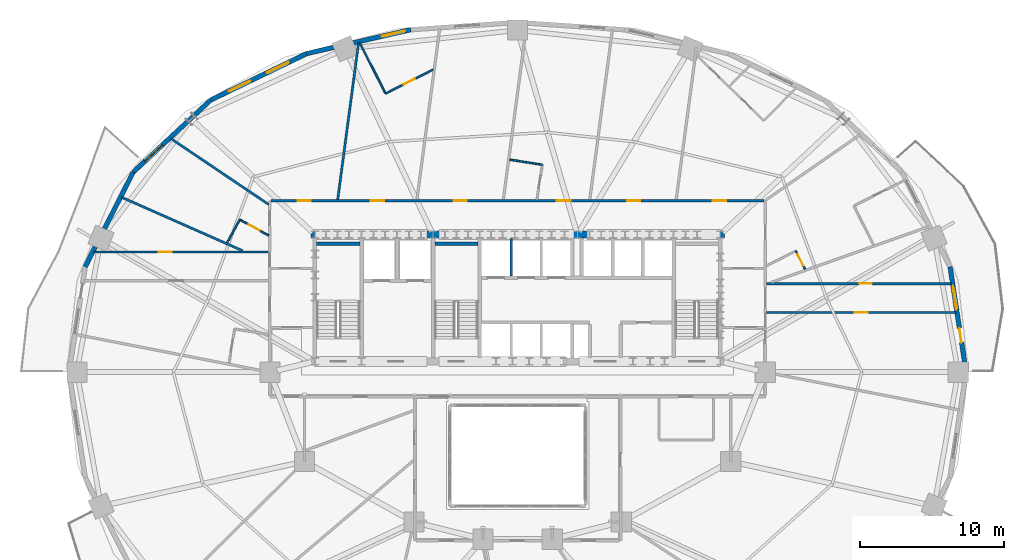
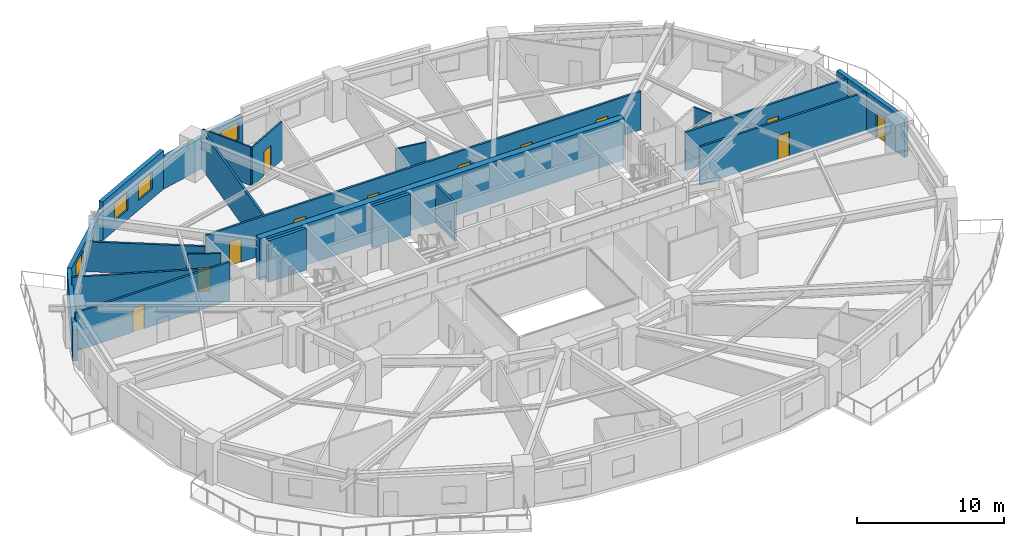
# One storey, part 12 of 17: 22 walls, 13 doors, 5 windows, 18 openings.
"""IFC4 building model written with IfcOpenShell, lengths in metres."""

from ifc_helpers import new_model, si_unit, direction, frame, frame_2d, origin, place, context, subcontext, project, spatial, rectangle, extrude, material, layer, layer_set, type_object, element, fill, save


model = new_model("IFC4")

# Units and contexts
model_context = context("Model", 3, precision=1e-05, world=origin(), true_north=direction((0.0, 1.0)))
body_context = subcontext(model_context, "Body", "Model", "MODEL_VIEW")
ifc_project = project(units=[si_unit("LENGTHUNIT", "METRE"), si_unit("AREAUNIT", "SQUARE_METRE"), si_unit("VOLUMEUNIT", "CUBIC_METRE"), si_unit("PLANEANGLEUNIT", "RADIAN"), si_unit("MASSUNIT", "GRAM", prefix="KILO")], contexts=[model_context])

# Site, building, storey
site_placement = place(None, origin())
site = spatial("IfcSite", under=ifc_project, at=site_placement, CompositionType="ELEMENT")
building_placement = place(site_placement, origin())
building = spatial("IfcBuilding", under=site, at=building_placement, Name="Haldorwick Loom Tower", CompositionType="ELEMENT")
storey_placement = place(building_placement, frame((0.0, 0.0, 55.050048828125)))
storey = spatial("IfcBuildingStorey", under=building, at=storey_placement, Name="L14", CompositionType="ELEMENT", Elevation=55.050048828125)

# Wall, openings, door, window
ifc_material_1 = material(Name="Pressed Clay Face Brick and Insulated Masonry Backup Assembly", Category="masonry")
ifc_layer_1 = layer(ifc_material_1, 0.320068359375, Name="Pressed Clay Face Brick and Insulated Masonry Backup Assembly", Category="masonry")
ifc_layer_set_1 = layer_set([ifc_layer_1], Name="Pressed Clay Face Brick and Insulated Masonry Backup Assembly")
wall_type_1 = type_object("IfcWallType", Name="ARC-WL-EXT320", PredefinedType="STANDARD", material=ifc_layer_set_1)
wall_1_placement = place(storey_placement, frame((67.135986328125, 26.0, 0.0), z_axis=(0.0, 0.0, 1.0), x_axis=(-0.150476322528, 0.988613613278, 0.0)))
wall_1 = element("IfcWall", 1, at=wall_1_placement, inside=storey, type_object=wall_type_1, Name="L14 Brick Pier and Spandrel Wall 1", PredefinedType="STANDARD", context=body_context, shape_type="SweptSolid", body=[
    extrude(rectangle(XDim=7.40478515625, YDim=0.320068359375, at=frame_2d((3.702392578125, 0.0))), origin(), (0.0, 0.0, 1.0), 3.2099609375),
])
opening_1_placement = place(wall_1_placement, frame((2.087646484375, 0.0, 0.0)))
opening_1 = element("IfcOpeningElement", 2, at=opening_1_placement, cuts=wall_1, Name="Opening D-BL10", PredefinedType="OPENING", context=body_context, shape_type="SweptSolid", body=[
    extrude(rectangle(XDim=1.0, YDim=2.0400390625, at=frame_2d((0.5, 1.02001953125))), frame((0.0, 0.169921875, 0.0), z_axis=(0.0, -1.0, 0.0), x_axis=(1.0, 0.0, 0.0)), (0.0, 0.0, 1.0), 0.340087890625),
])
opening_2_placement = place(wall_1_placement, frame((4.39990234375, 0.0, 0.800048828125)))
opening_2 = element("IfcOpeningElement", 3, at=opening_2_placement, cuts=wall_1, Name="Opening W-01B", PredefinedType="OPENING", context=body_context, shape_type="SweptSolid", body=[
    extrude(rectangle(XDim=1.64990234375, YDim=1.449951171875, at=frame_2d((0.824951171875, 0.72509765625))), frame((0.0, 0.169921875, 0.0), z_axis=(0.0, -1.0, 0.0), x_axis=(1.0, 0.0, 0.0)), (0.0, 0.0, 1.0), 0.340087890625),
])
ifc_material_2 = material(Name="Thermally Broken Anodized Aluminium Curtain Wall Framing", Category="aluminium")
door_type_1 = type_object("IfcDoorType", Name="ARC-DR-BAL100", OperationType="NOTDEFINED", PredefinedType="DOOR", material=ifc_material_2)
door_1_placement = place(opening_1_placement, origin())
door_1 = element("IfcDoor", 4, at=door_1_placement, inside=storey, type_object=door_type_1, Name="L14 Outdoor Terrace Door SLB-L14-BAL_ENE", OperationType="SINGLE_SWING_RIGHT", OverallHeight=2.0400390625, OverallWidth=1.0, PredefinedType="DOOR", context=body_context, shape_type="SweptSolid", body=[
    extrude(rectangle(XDim=1.0, YDim=2.0400390625, at=frame_2d((0.5, 1.02001953125))), frame((0.0, 0.02490234375, 0.0), z_axis=(0.0, -1.0, 0.0), x_axis=(1.0, 0.0, 0.0)), (0.0, 0.0, 1.0), 0.050048828125),
])
fill(opening_1, door_1)
ifc_material_3 = material(Name="Triple-Glazed Low-E Argon Insulated Glazing Unit", Category="glass")
window_type = type_object("IfcWindowType", Name="ARC-WIN-W165", PartitioningType="SINGLE_PANEL", PredefinedType="WINDOW", material=ifc_material_3)
window_1_placement = place(opening_2_placement, origin())
window_1 = element("IfcWindow", 5, at=window_1_placement, inside=storey, type_object=window_type, Name="L14 Deep-Set Zone 7A Window 1", OverallHeight=1.449951171875, OverallWidth=1.64990234375, PartitioningType="SINGLE_PANEL", PredefinedType="WINDOW", context=body_context, shape_type="SweptSolid", body=[
    extrude(rectangle(XDim=1.64990234375, YDim=1.449951171875, at=frame_2d((0.824951171875, 0.72509765625))), frame((0.0, 0.030029296875, 0.0), z_axis=(0.0, -1.0, 0.0), x_axis=(1.0, 0.0, 0.0)), (0.0, 0.0, 1.0), 0.06005859375),
])
fill(opening_2, window_1)

# Wall, opening, window
wall_2_placement = place(storey_placement, frame((28.588623046875, 49.780517578125, 0.0), z_axis=(0.0, 0.0, 1.0), x_axis=(-0.974522412345, -0.224290142088, 0.0)))
wall_2 = element("IfcWall", 6, at=wall_2_placement, inside=storey, type_object=wall_type_1, Name="L14 Brick Pier and Spandrel Wall 8", PredefinedType="STANDARD", context=body_context, shape_type="SweptSolid", body=[
    extrude(rectangle(XDim=7.422607421875, YDim=0.320068359375, at=frame_2d((3.71142578125, 0.0))), origin(), (0.0, 0.0, 1.0), 2.56884765625),
])
opening_3_placement = place(wall_2_placement, frame((0.39990234375, 0.0, 0.800048828125)))
opening_3 = element("IfcOpeningElement", 7, at=opening_3_placement, cuts=wall_2, Name="Opening W-01B", PredefinedType="OPENING", context=body_context, shape_type="SweptSolid", body=[
    extrude(rectangle(XDim=1.64990234375, YDim=1.449951171875, at=frame_2d((0.824951171875, 0.72509765625))), frame((0.0, 0.169921875, 0.0), z_axis=(0.0, -1.0, 0.0), x_axis=(1.0, 0.0, 0.0)), (0.0, 0.0, 1.0), 0.340087890625),
])
window_2_placement = place(opening_3_placement, origin())
window_2 = element("IfcWindow", 8, at=window_2_placement, inside=storey, type_object=window_type, Name="L14 Deep-Set Zone 7A Window 8", OverallHeight=1.449951171875, OverallWidth=1.64990234375, PartitioningType="SINGLE_PANEL", PredefinedType="WINDOW", context=body_context, shape_type="SweptSolid", body=[
    extrude(rectangle(XDim=1.64990234375, YDim=1.449951171875, at=frame_2d((0.824951171875, 0.72509765625))), frame((0.0, 0.030029296875, 0.0), z_axis=(0.0, -1.0, 0.0), x_axis=(1.0, 0.0, 0.0)), (0.0, 0.0, 1.0), 0.06005859375),
])
fill(opening_3, window_2)

# Wall, openings, windows
wall_3_placement = place(storey_placement, frame((21.355224609375, 48.11572265625, 0.0), z_axis=(0.0, 0.0, 1.0), x_axis=(-0.900295710431, -0.435278800057, 0.0)))
wall_3 = element("IfcWall", 9, at=wall_3_placement, inside=storey, type_object=wall_type_1, Name="L14 Brick Pier and Spandrel Wall 9", PredefinedType="STANDARD", context=body_context, shape_type="SweptSolid", body=[
    extrude(rectangle(XDim=7.39697265625, YDim=0.320068359375, at=frame_2d((3.698486328125, 0.0))), origin(), (0.0, 0.0, 1.0), 3.2099609375),
])
opening_4_placement = place(wall_3_placement, frame((1.39404296875, 0.0, 0.800048828125)))
opening_4 = element("IfcOpeningElement", 10, at=opening_4_placement, cuts=wall_3, Name="Opening W-01B", PredefinedType="OPENING", context=body_context, shape_type="SweptSolid", body=[
    extrude(rectangle(XDim=1.64990234375, YDim=1.449951171875, at=frame_2d((0.824951171875, 0.72509765625))), frame((0.0, 0.169921875, 0.0), z_axis=(0.0, -1.0, 0.0), x_axis=(1.0, 0.0, 0.0)), (0.0, 0.0, 1.0), 0.340087890625),
])
opening_5_placement = place(wall_3_placement, frame((4.352783203125, 0.0, 0.800048828125)))
opening_5 = element("IfcOpeningElement", 11, at=opening_5_placement, cuts=wall_3, Name="Opening W-01B", PredefinedType="OPENING", context=body_context, shape_type="SweptSolid", body=[
    extrude(rectangle(XDim=1.64990234375, YDim=1.449951171875, at=frame_2d((0.824951171875, 0.72509765625))), frame((0.0, 0.169921875, 0.0), z_axis=(0.0, -1.0, 0.0), x_axis=(1.0, 0.0, 0.0)), (0.0, 0.0, 1.0), 0.340087890625),
])
window_3_placement = place(opening_4_placement, origin())
window_3 = element("IfcWindow", 12, at=window_3_placement, inside=storey, type_object=window_type, Name="L14 Deep-Set Zone 7A Window 9", OverallHeight=1.449951171875, OverallWidth=1.64990234375, PartitioningType="SINGLE_PANEL", PredefinedType="WINDOW", context=body_context, shape_type="SweptSolid", body=[
    extrude(rectangle(XDim=1.64990234375, YDim=1.449951171875, at=frame_2d((0.824951171875, 0.72509765625))), frame((0.0, 0.030029296875, 0.0), z_axis=(0.0, -1.0, 0.0), x_axis=(1.0, 0.0, 0.0)), (0.0, 0.0, 1.0), 0.06005859375),
])
fill(opening_4, window_3)
window_4_placement = place(opening_5_placement, origin())
window_4 = element("IfcWindow", 13, at=window_4_placement, inside=storey, type_object=window_type, Name="L14 Deep-Set Zone 7A Window 9", OverallHeight=1.449951171875, OverallWidth=1.64990234375, PartitioningType="SINGLE_PANEL", PredefinedType="WINDOW", context=body_context, shape_type="SweptSolid", body=[
    extrude(rectangle(XDim=1.64990234375, YDim=1.449951171875, at=frame_2d((0.824951171875, 0.72509765625))), frame((0.0, 0.030029296875, 0.0), z_axis=(0.0, -1.0, 0.0), x_axis=(1.0, 0.0, 0.0)), (0.0, 0.0, 1.0), 0.06005859375),
])
fill(opening_5, window_4)

# Wall, opening, window
wall_4_placement = place(storey_placement, frame((14.69580078125, 44.89599609375, 0.0), z_axis=(0.0, 0.0, 1.0), x_axis=(-0.73176101237, -0.681561311091, 0.0)))
wall_4 = element("IfcWall", 14, at=wall_4_placement, inside=storey, type_object=wall_type_1, Name="L14 Brick Pier and Spandrel Wall 10", PredefinedType="STANDARD", context=body_context, shape_type="SweptSolid", body=[
    extrude(rectangle(XDim=7.3583984375, YDim=0.320068359375, at=frame_2d((3.67919921875, 0.0))), origin(), (0.0, 0.0, 1.0), 2.56884765625),
])
opening_6_placement = place(wall_4_placement, frame((4.590087890625, 0.0, 0.800048828125)))
opening_6 = element("IfcOpeningElement", 15, at=opening_6_placement, cuts=wall_4, Name="Opening W-01B", PredefinedType="OPENING", context=body_context, shape_type="SweptSolid", body=[
    extrude(rectangle(XDim=1.64990234375, YDim=1.449951171875, at=frame_2d((0.824951171875, 0.72509765625))), frame((0.0, 0.169921875, 0.0), z_axis=(0.0, -1.0, 0.0), x_axis=(1.0, 0.0, 0.0)), (0.0, 0.0, 1.0), 0.340087890625),
])
window_5_placement = place(opening_6_placement, origin())
window_5 = element("IfcWindow", 16, at=window_5_placement, inside=storey, type_object=window_type, Name="L14 Deep-Set Zone 7A Window 10", OverallHeight=1.449951171875, OverallWidth=1.64990234375, PartitioningType="SINGLE_PANEL", PredefinedType="WINDOW", context=body_context, shape_type="SweptSolid", body=[
    extrude(rectangle(XDim=1.64990234375, YDim=1.449951171875, at=frame_2d((0.824951171875, 0.72509765625))), frame((0.0, 0.030029296875, 0.0), z_axis=(0.0, -1.0, 0.0), x_axis=(1.0, 0.0, 0.0)), (0.0, 0.0, 1.0), 0.06005859375),
])
fill(opening_6, window_5)

# Wall
wall_5_placement = place(storey_placement, frame((9.311279296875, 39.880859375, 0.0), z_axis=(0.0, 0.0, 1.0), x_axis=(-0.452950855928, -0.891535485617, 0.0)))
element("IfcWall", 17, at=wall_5_placement, inside=storey, type_object=wall_type_1, Name="L14 Brick Pier and Spandrel Wall 11", PredefinedType="STANDARD", context=body_context, shape_type="SweptSolid", body=[
    extrude(rectangle(XDim=7.3583984375, YDim=0.320068359375, at=frame_2d((3.67919921875, 0.0))), origin(), (0.0, 0.0, 1.0), 2.56884765625),
])

# Wall, openings, doors
ifc_material_4 = material(Name="Fire-Rated Type X Gypsum Stud Assembly EI 60")
ifc_layer_2 = layer(ifc_material_4, 0.159912109375, Name="Fire-Rated Type X Gypsum Stud Assembly EI 60")
ifc_layer_set_2 = layer_set([ifc_layer_2], Name="Fire-Rated Type X Gypsum Stud Assembly EI 60")
wall_type_2 = type_object("IfcWallType", Name="ARC-WL-FIRE160", PredefinedType="PARTITIONING", material=ifc_layer_set_2)
wall_6_placement = place(storey_placement, frame((18.883056640625, 37.89990234375, 0.0), z_axis=(0.0, 0.0, 1.0), x_axis=(1.0, 0.0, 0.0)))
wall_6 = element("IfcWall", 18, at=wall_6_placement, inside=storey, type_object=wall_type_2, Name="L14 Residential Fire Partition L14-CR-N0", PredefinedType="PARTITIONING", context=body_context, shape_type="SweptSolid", body=[
    extrude(rectangle(XDim=34.23388671875, YDim=0.159912109375, at=frame_2d((17.116943359375, 0.0))), origin(), (0.0, 0.0, 1.0), 3.195068359375),
])
opening_7_placement = place(wall_6_placement, frame((30.6669921875, 0.0, 0.0)))
opening_7 = element("IfcOpeningElement", 19, at=opening_7_placement, cuts=wall_6, Name="Opening D-FL95", PredefinedType="OPENING", context=body_context, shape_type="SweptSolid", body=[
    extrude(rectangle(XDim=0.949951171875, YDim=2.0400390625, at=frame_2d((0.47509765625, 1.02001953125))), frame((0.0, 0.08984375, 0.0), z_axis=(0.0, -1.0, 0.0), x_axis=(1.0, 0.0, 0.0)), (0.0, 0.0, 1.0), 0.179931640625),
])
opening_8_placement = place(wall_6_placement, frame((24.728515625, 0.0, 0.0)))
opening_8 = element("IfcOpeningElement", 20, at=opening_8_placement, cuts=wall_6, Name="Opening D-FD60A", PredefinedType="OPENING", context=body_context, shape_type="SweptSolid", body=[
    extrude(rectangle(XDim=0.89990234375, YDim=2.0, at=frame_2d((0.449951171875, 1.0))), frame((0.0, 0.08984375, 0.0), z_axis=(0.0, -1.0, 0.0), x_axis=(1.0, 0.0, 0.0)), (0.0, 0.0, 1.0), 0.179931640625),
])
opening_9_placement = place(wall_6_placement, frame((12.69140625, 0.0, 0.0)))
opening_9 = element("IfcOpeningElement", 21, at=opening_9_placement, cuts=wall_6, Name="Opening D-FD60A", PredefinedType="OPENING", context=body_context, shape_type="SweptSolid", body=[
    extrude(rectangle(XDim=0.89990234375, YDim=2.0, at=frame_2d((0.449951171875, 1.0))), frame((0.0, 0.08984375, 0.0), z_axis=(0.0, -1.0, 0.0), x_axis=(1.0, 0.0, 0.0)), (0.0, 0.0, 1.0), 0.179931640625),
])
opening_10_placement = place(wall_6_placement, frame((6.924072265625, 0.0, 0.0)))
opening_10 = element("IfcOpeningElement", 22, at=opening_10_placement, cuts=wall_6, Name="Opening D-FL95", PredefinedType="OPENING", context=body_context, shape_type="SweptSolid", body=[
    extrude(rectangle(XDim=0.949951171875, YDim=2.0400390625, at=frame_2d((0.47509765625, 1.02001953125))), frame((0.0, 0.08984375, 0.0), z_axis=(0.0, -1.0, 0.0), x_axis=(1.0, 0.0, 0.0)), (0.0, 0.0, 1.0), 0.179931640625),
])
opening_11_placement = place(wall_6_placement, frame((1.869140625, 0.0, 0.0)))
opening_11 = element("IfcOpeningElement", 23, at=opening_11_placement, cuts=wall_6, Name="Opening D-FD60A", PredefinedType="OPENING", context=body_context, shape_type="SweptSolid", body=[
    extrude(rectangle(XDim=0.89990234375, YDim=2.0, at=frame_2d((0.449951171875, 1.0))), frame((0.0, 0.08984375, 0.0), z_axis=(0.0, -1.0, 0.0), x_axis=(1.0, 0.0, 0.0)), (0.0, 0.0, 1.0), 0.179931640625),
])
opening_12_placement = place(wall_6_placement, frame((19.844482421875, 0.0, 0.0)))
opening_12 = element("IfcOpeningElement", 24, at=opening_12_placement, cuts=wall_6, Name="Opening D-FL95", PredefinedType="OPENING", context=body_context, shape_type="SweptSolid", body=[
    extrude(rectangle(XDim=0.949951171875, YDim=2.0400390625, at=frame_2d((0.47509765625, 1.02001953125))), frame((0.0, 0.08984375, 0.0), z_axis=(0.0, -1.0, 0.0), x_axis=(1.0, 0.0, 0.0)), (0.0, 0.0, 1.0), 0.179931640625),
])
ifc_material_5 = material(Name="Hollow Steel Fire Door Assembly", Category="steel")
door_type_2 = type_object("IfcDoorType", Name="ARC-DR-FD60-90", OperationType="NOTDEFINED", PredefinedType="DOOR", material=ifc_material_5)
door_2_placement = place(opening_8_placement, frame((0.89990234375, 0.0, 0.0), z_axis=(0.0, 0.0, 1.0), x_axis=(-1.0, 0.0, 0.0)))
door_2 = element("IfcDoor", 25, at=door_2_placement, inside=storey, type_object=door_type_2, Name="L14 Co-Working Open Office 5 to L14 North Residential Corridor Door", OperationType="SINGLE_SWING_LEFT", OverallHeight=2.0, OverallWidth=0.89990234375, PredefinedType="DOOR", context=body_context, shape_type="SweptSolid", body=[
    extrude(rectangle(XDim=0.89990234375, YDim=2.0, at=frame_2d((0.449951171875, 1.0))), frame((0.0, 0.02490234375, 0.0), z_axis=(0.0, -1.0, 0.0), x_axis=(1.0, 0.0, 0.0)), (0.0, 0.0, 1.0), 0.050048828125),
])
fill(opening_8, door_2)
door_3_placement = place(opening_9_placement, frame((0.89990234375, 0.0, 0.0), z_axis=(0.0, 0.0, 1.0), x_axis=(-1.0, 0.0, 0.0)))
door_3 = element("IfcDoor", 26, at=door_3_placement, inside=storey, type_object=door_type_2, Name="L14 Co-Working Open Office 8 to L14 North Residential Corridor Door", OperationType="SINGLE_SWING_RIGHT", OverallHeight=2.0, OverallWidth=0.89990234375, PredefinedType="DOOR", context=body_context, shape_type="SweptSolid", body=[
    extrude(rectangle(XDim=0.89990234375, YDim=2.0, at=frame_2d((0.449951171875, 1.0))), frame((0.0, 0.02490234375, 0.0), z_axis=(0.0, -1.0, 0.0), x_axis=(1.0, 0.0, 0.0)), (0.0, 0.0, 1.0), 0.050048828125),
])
fill(opening_9, door_3)
door_4_placement = place(opening_11_placement, frame((0.89990234375, 0.0, 0.0), z_axis=(0.0, 0.0, 1.0), x_axis=(-1.0, 0.0, 0.0)))
door_4 = element("IfcDoor", 27, at=door_4_placement, inside=storey, type_object=door_type_2, Name="L14 Co-Working Open Office 13 to L14 North Residential Corridor Door", OperationType="SINGLE_SWING_RIGHT", OverallHeight=2.0, OverallWidth=0.89990234375, PredefinedType="DOOR", context=body_context, shape_type="SweptSolid", body=[
    extrude(rectangle(XDim=0.89990234375, YDim=2.0, at=frame_2d((0.449951171875, 1.0))), frame((0.0, 0.02490234375, 0.0), z_axis=(0.0, -1.0, 0.0), x_axis=(1.0, 0.0, 0.0)), (0.0, 0.0, 1.0), 0.050048828125),
])
fill(opening_11, door_4)
ifc_material_6 = material(Name="Solid Core Birch Architectural Door")
door_type_3 = type_object("IfcDoorType", Name="ARC-DR-FLAT95", OperationType="NOTDEFINED", PredefinedType="DOOR", material=ifc_material_6)
door_5_placement = place(opening_7_placement, frame((0.949951171875, 0.0, 0.0), z_axis=(0.0, 0.0, 1.0), x_axis=(-1.0, 0.0, 0.0)))
door_5 = element("IfcDoor", 28, at=door_5_placement, inside=storey, type_object=door_type_3, Name="L14 Unit 14K Kitchen and Living Room to L14 North Residential Corridor D", OperationType="SINGLE_SWING_RIGHT", OverallHeight=2.0400390625, OverallWidth=0.949951171875, PredefinedType="DOOR", context=body_context, shape_type="SweptSolid", body=[
    extrude(rectangle(XDim=0.949951171875, YDim=2.0400390625, at=frame_2d((0.47509765625, 1.02001953125))), frame((0.0, 0.02490234375, 0.0), z_axis=(0.0, -1.0, 0.0), x_axis=(1.0, 0.0, 0.0)), (0.0, 0.0, 1.0), 0.050048828125),
])
fill(opening_7, door_5)
door_6_placement = place(opening_10_placement, frame((0.949951171875, 0.0, 0.0), z_axis=(0.0, 0.0, 1.0), x_axis=(-1.0, 0.0, 0.0)))
door_6 = element("IfcDoor", 29, at=door_6_placement, inside=storey, type_object=door_type_3, Name="L14 Unit 14F Kitchen and Studio Living Room to L14 North Residential Cor", OperationType="SINGLE_SWING_LEFT", OverallHeight=2.0400390625, OverallWidth=0.949951171875, PredefinedType="DOOR", context=body_context, shape_type="SweptSolid", body=[
    extrude(rectangle(XDim=0.949951171875, YDim=2.0400390625, at=frame_2d((0.47509765625, 1.02001953125))), frame((0.0, 0.02490234375, 0.0), z_axis=(0.0, -1.0, 0.0), x_axis=(1.0, 0.0, 0.0)), (0.0, 0.0, 1.0), 0.050048828125),
])
fill(opening_10, door_6)
door_7_placement = place(opening_12_placement, frame((0.949951171875, 0.0, 0.0), z_axis=(0.0, 0.0, 1.0), x_axis=(-1.0, 0.0, 0.0)))
door_7 = element("IfcDoor", 30, at=door_7_placement, inside=storey, type_object=door_type_3, Name="L14 Unit 14G Kitchen and Studio Living Room to L14 North Residential Cor", OperationType="SINGLE_SWING_LEFT", OverallHeight=2.0400390625, OverallWidth=0.949951171875, PredefinedType="DOOR", context=body_context, shape_type="SweptSolid", body=[
    extrude(rectangle(XDim=0.949951171875, YDim=2.0400390625, at=frame_2d((0.47509765625, 1.02001953125))), frame((0.0, 0.02490234375, 0.0), z_axis=(0.0, -1.0, 0.0), x_axis=(1.0, 0.0, 0.0)), (0.0, 0.0, 1.0), 0.050048828125),
])
fill(opening_12, door_7)

# Wall, opening, door
wall_7_placement = place(storey_placement, frame((6.57421875, 34.35009765625, 0.0), z_axis=(0.0, 0.0, 1.0), x_axis=(1.0, 0.0, 0.0)))
wall_7 = element("IfcWall", 31, at=wall_7_placement, inside=storey, type_object=wall_type_2, Name="L14 Residential Fire Partition L14-CR-GW1", PredefinedType="PARTITIONING", context=body_context, shape_type="SweptSolid", body=[
    extrude(rectangle(XDim=12.142822265625, YDim=0.159912109375, at=frame_2d((6.0712890625, 0.0))), origin(), (0.0, 0.0, 1.0), 3.195068359375),
])
opening_13_placement = place(wall_7_placement, frame((4.517578125, 0.0, 0.0)))
opening_13 = element("IfcOpeningElement", 32, at=opening_13_placement, cuts=wall_7, Name="Opening D-FD60A", PredefinedType="OPENING", context=body_context, shape_type="SweptSolid", body=[
    extrude(rectangle(XDim=0.89990234375, YDim=2.0, at=frame_2d((0.449951171875, 1.0))), frame((0.0, 0.08984375, 0.0), z_axis=(0.0, -1.0, 0.0), x_axis=(1.0, 0.0, 0.0)), (0.0, 0.0, 1.0), 0.179931640625),
])
door_8_placement = place(opening_13_placement, frame((0.89990234375, 0.0, 0.0), z_axis=(0.0, 0.0, 1.0), x_axis=(-1.0, 0.0, 0.0)))
door_8 = element("IfcDoor", 33, at=door_8_placement, inside=storey, type_object=door_type_2, Name="L14 Resident Study Room 10 to L14 West Daylight Corridor Door", OperationType="SINGLE_SWING_LEFT", OverallHeight=2.0, OverallWidth=0.89990234375, PredefinedType="DOOR", context=body_context, shape_type="SweptSolid", body=[
    extrude(rectangle(XDim=0.89990234375, YDim=2.0, at=frame_2d((0.449951171875, 1.0))), frame((0.0, 0.02490234375, 0.0), z_axis=(0.0, -1.0, 0.0), x_axis=(1.0, 0.0, 0.0)), (0.0, 0.0, 1.0), 0.050048828125),
])
fill(opening_13, door_8)

wall_8_placement = place(storey_placement, frame((53.282958984375, 30.14990234375, 0.0), z_axis=(0.0, 0.0, 1.0), x_axis=(1.0, 0.0, 0.0)))
wall_8 = element("IfcWall", 34, at=wall_8_placement, inside=storey, type_object=wall_type_2, Name="L14 Residential Fire Partition L14-CR-GE0", PredefinedType="PARTITIONING", context=body_context, shape_type="SweptSolid", body=[
    extrude(rectangle(XDim=13.15576171875, YDim=0.159912109375, at=frame_2d((6.577880859375, 0.0))), origin(), (0.0, 0.0, 1.0), 3.195068359375),
])
opening_14_placement = place(wall_8_placement, frame((6.127685546875, 0.0, 0.0)))
opening_14 = element("IfcOpeningElement", 35, at=opening_14_placement, cuts=wall_8, Name="Opening D-FD60A", PredefinedType="OPENING", context=body_context, shape_type="SweptSolid", body=[
    extrude(rectangle(XDim=0.89990234375, YDim=2.0, at=frame_2d((0.449951171875, 1.0))), frame((0.0, 0.08984375, 0.0), z_axis=(0.0, -1.0, 0.0), x_axis=(1.0, 0.0, 0.0)), (0.0, 0.0, 1.0), 0.179931640625),
])
door_9_placement = place(opening_14_placement, origin())
door_9 = element("IfcDoor", 36, at=door_9_placement, inside=storey, type_object=door_type_2, Name="L14 L14 East Daylight Corridor to Resident Cafe Room 2 Door", OperationType="SINGLE_SWING_RIGHT", OverallHeight=2.0, OverallWidth=0.89990234375, PredefinedType="DOOR", context=body_context, shape_type="SweptSolid", body=[
    extrude(rectangle(XDim=0.89990234375, YDim=2.0, at=frame_2d((0.449951171875, 1.0))), frame((0.0, 0.02490234375, 0.0), z_axis=(0.0, -1.0, 0.0), x_axis=(1.0, 0.0, 0.0)), (0.0, 0.0, 1.0), 0.050048828125),
])
fill(opening_14, door_9)

wall_9_placement = place(storey_placement, frame((53.282958984375, 32.14990234375, 0.0), z_axis=(0.0, 0.0, 1.0), x_axis=(1.0, 0.0, 0.0)))
wall_9 = element("IfcWall", 37, at=wall_9_placement, inside=storey, type_object=wall_type_2, Name="L14 Residential Fire Partition L14-CR-GE1", PredefinedType="PARTITIONING", context=body_context, shape_type="SweptSolid", body=[
    extrude(rectangle(XDim=12.851318359375, YDim=0.159912109375, at=frame_2d((6.42578125, 0.0))), origin(), (0.0, 0.0, 1.0), 3.195068359375),
])
opening_15_placement = place(wall_9_placement, frame((6.418701171875, 0.0, 0.0)))
opening_15 = element("IfcOpeningElement", 38, at=opening_15_placement, cuts=wall_9, Name="Opening D-FD60A", PredefinedType="OPENING", context=body_context, shape_type="SweptSolid", body=[
    extrude(rectangle(XDim=0.89990234375, YDim=2.0, at=frame_2d((0.449951171875, 1.0))), frame((0.0, 0.08984375, 0.0), z_axis=(0.0, -1.0, 0.0), x_axis=(1.0, 0.0, 0.0)), (0.0, 0.0, 1.0), 0.179931640625),
])
door_10_placement = place(opening_15_placement, frame((0.89990234375, 0.0, 0.0), z_axis=(0.0, 0.0, 1.0), x_axis=(-1.0, 0.0, 0.0)))
door_10 = element("IfcDoor", 39, at=door_10_placement, inside=storey, type_object=door_type_2, Name="L14 Tenant Committee Meeting Room 9 to L14 East Daylight Corridor Door", OperationType="SINGLE_SWING_RIGHT", OverallHeight=2.0, OverallWidth=0.89990234375, PredefinedType="DOOR", context=body_context, shape_type="SweptSolid", body=[
    extrude(rectangle(XDim=0.89990234375, YDim=2.0, at=frame_2d((0.449951171875, 1.0))), frame((0.0, 0.02490234375, 0.0), z_axis=(0.0, -1.0, 0.0), x_axis=(1.0, 0.0, 0.0)), (0.0, 0.0, 1.0), 0.050048828125),
])
fill(opening_15, door_10)

# Walls
wall_10_placement = place(storey_placement, frame((23.510986328125, 37.98291015625, 0.0), z_axis=(0.0, 0.0, 1.0), x_axis=(0.131887293248, 0.991264718367, 0.0)))
element("IfcWall", 40, at=wall_10_placement, inside=storey, type_object=wall_type_2, Name="L14 Residential Fire Partition L14-UPN-14", PredefinedType="PARTITIONING", context=body_context, shape_type="SweptSolid", body=[
    extrude(rectangle(XDim=10.991943359375, YDim=0.159912109375, at=frame_2d((5.49609375, 0.0))), origin(), (0.0, 0.0, 1.0), 3.195068359375),
])
wall_11_placement = place(storey_placement, frame((16.90673828125, 34.43310546875, 0.0), z_axis=(0.0, 0.0, 1.0), x_axis=(-0.914755811252, 0.404007185309, 0.0)))
element("IfcWall", 41, at=wall_11_placement, inside=storey, type_object=wall_type_2, Name="L14 Suite Split Wall", PredefinedType="PARTITIONING", context=body_context, shape_type="SweptSolid", body=[
    extrude(rectangle(XDim=9.187744140625, YDim=0.159912109375, at=frame_2d((4.59375, 0.0))), origin(), (0.0, 0.0, 1.0), 3.195068359375),
])
wall_12_placement = place(storey_placement, frame((18.717041015625, 37.6435546875, 0.0), z_axis=(0.0, 0.0, 1.0), x_axis=(-0.829350156304, 0.558729199378, 0.0)))
element("IfcWall", 42, at=wall_12_placement, inside=storey, type_object=wall_type_2, Name="L14 Suite Split Wall", PredefinedType="PARTITIONING", context=body_context, shape_type="SweptSolid", body=[
    extrude(rectangle(XDim=8.195068359375, YDim=0.159912109375, at=frame_2d((4.09765625, 0.0))), origin(), (0.0, 0.0, 1.0), 2.489990234375),
])

# Wall, opening, door
ifc_material_7 = material(Name="Acoustic Gypsum Stud Assembly STC 55")
ifc_layer_3 = layer(ifc_material_7, 0.1201171875, Name="Acoustic Gypsum Stud Assembly STC 55")
ifc_layer_set_3 = layer_set([ifc_layer_3], Name="Acoustic Gypsum Stud Assembly STC 55")
wall_type_3 = type_object("IfcWallType", Name="ARC-WL-PART120", PredefinedType="PARTITIONING", material=ifc_layer_set_3)
wall_13_placement = place(storey_placement, frame((30.127685546875, 47.004638671875, 0.0), z_axis=(0.0, 0.0, 1.0), x_axis=(-0.892756984932, -0.450538528713, 0.0)))
wall_13 = element("IfcWall", 43, at=wall_13_placement, inside=storey, type_object=wall_type_3, Name="L14 Unit 14F Interior Partition", PredefinedType="PARTITIONING", context=body_context, shape_type="SweptSolid", body=[
    extrude(rectangle(XDim=3.697265625, YDim=0.1201171875, at=frame_2d((1.8486328125, 0.0))), origin(), (0.0, 0.0, 1.0), 3.195068359375),
])
opening_16_placement = place(wall_13_placement, frame((1.40869140625, 0.0, 0.0)))
opening_16 = element("IfcOpeningElement", 44, at=opening_16_placement, cuts=wall_13, Name="Opening D-BT88", PredefinedType="OPENING", context=body_context, shape_type="SweptSolid", body=[
    extrude(rectangle(XDim=0.8798828125, YDim=2.02001953125, at=frame_2d((0.43994140625, 1.010009765625))), frame((0.0, 0.070068359375, 0.0), z_axis=(0.0, -1.0, 0.0), x_axis=(1.0, 0.0, 0.0)), (0.0, 0.0, 1.0), 0.14013671875),
])
door_type_4 = type_object("IfcDoorType", Name="ARC-DR-BATH88", OperationType="NOTDEFINED", PredefinedType="DOOR", material=ifc_material_6)
door_11_placement = place(opening_16_placement, origin())
door_11 = element("IfcDoor", 45, at=door_11_placement, inside=storey, type_object=door_type_4, Name="L14 Unit 14F Kitchen and Studio Living Room to Unit 14F Bathroom Door", OperationType="SINGLE_SWING_LEFT", OverallHeight=2.02001953125, OverallWidth=0.8798828125, PredefinedType="DOOR", context=body_context, shape_type="SweptSolid", body=[
    extrude(rectangle(XDim=0.8798828125, YDim=2.02001953125, at=frame_2d((0.43994140625, 1.010009765625))), frame((0.0, 0.02490234375, 0.0), z_axis=(0.0, -1.0, 0.0), x_axis=(1.0, 0.0, 0.0)), (0.0, 0.0, 1.0), 0.050048828125),
])
fill(opening_16, door_11)

# Walls
wall_14_placement = place(storey_placement, frame((26.79833984375, 45.39501953125, 0.0), z_axis=(0.0, 0.0, 1.0), x_axis=(-0.450526516903, 0.892763046708, 0.0)))
element("IfcWall", 46, at=wall_14_placement, inside=storey, type_object=wall_type_3, Name="L14 Unit 14F Interior Partition", PredefinedType="PARTITIONING", context=body_context, shape_type="SweptSolid", body=[
    extrude(rectangle(XDim=3.916748046875, YDim=0.1201171875, at=frame_2d((1.95849609375, 0.0))), origin(), (0.0, 0.0, 1.0), 3.195068359375),
])
wall_15_placement = place(storey_placement, frame((37.716796875, 40.402099609375, 0.0), z_axis=(0.0, 0.0, 1.0), x_axis=(-0.988131638299, 0.153609457367, 0.0)))
element("IfcWall", 47, at=wall_15_placement, inside=storey, type_object=wall_type_3, Name="L14 Unit 14G Interior Partition", PredefinedType="PARTITIONING", context=body_context, shape_type="SweptSolid", body=[
    extrude(rectangle(XDim=2.28076171875, YDim=0.1201171875, at=frame_2d((1.140380859375, 0.0))), origin(), (0.0, 0.0, 1.0), 2.826904296875),
])

# Wall, opening, door
wall_16_placement = place(storey_placement, frame((55.95458984375, 33.152099609375, 0.0), z_axis=(0.0, 0.0, 1.0), x_axis=(-0.449491547188, 0.893284584557, 0.0)))
wall_16 = element("IfcWall", 48, at=wall_16_placement, inside=storey, type_object=wall_type_3, Name="L14 Unit 14J Interior Partition", PredefinedType="PARTITIONING", context=body_context, shape_type="SweptSolid", body=[
    extrude(rectangle(XDim=1.413818359375, YDim=0.1201171875, at=frame_2d((0.70703125, 0.0))), origin(), (0.0, 0.0, 1.0), 3.195068359375),
])
opening_17_placement = place(wall_16_placement, frame((0.266845703125, 0.0, 0.0)))
opening_17 = element("IfcOpeningElement", 49, at=opening_17_placement, cuts=wall_16, Name="Opening D-BT88", PredefinedType="OPENING", context=body_context, shape_type="SweptSolid", body=[
    extrude(rectangle(XDim=0.8798828125, YDim=2.02001953125, at=frame_2d((0.43994140625, 1.010009765625))), frame((0.0, 0.070068359375, 0.0), z_axis=(0.0, -1.0, 0.0), x_axis=(1.0, 0.0, 0.0)), (0.0, 0.0, 1.0), 0.14013671875),
])
door_12_placement = place(opening_17_placement, origin())
door_12 = element("IfcDoor", 50, at=door_12_placement, inside=storey, type_object=door_type_4, Name="L14 Unit 14J Bathroom to Unit 14J Kitchen and Living Room Door", OperationType="SINGLE_SWING_LEFT", OverallHeight=2.02001953125, OverallWidth=0.8798828125, PredefinedType="DOOR", context=body_context, shape_type="SweptSolid", body=[
    extrude(rectangle(XDim=0.8798828125, YDim=2.02001953125, at=frame_2d((0.43994140625, 1.010009765625))), frame((0.0, 0.02490234375, 0.0), z_axis=(0.0, -1.0, 0.0), x_axis=(1.0, 0.0, 0.0)), (0.0, 0.0, 1.0), 0.050048828125),
])
fill(opening_17, door_12)

# Wall
wall_17_placement = place(storey_placement, frame((16.705322265625, 36.589111328125, 0.0), z_axis=(0.0, 0.0, 1.0), x_axis=(-0.48048220159, -0.877004477728, 0.0)))
element("IfcWall", 51, at=wall_17_placement, inside=storey, type_object=wall_type_3, Name="L14 Unit 14L Interior Partition", PredefinedType="PARTITIONING", context=body_context, shape_type="SweptSolid", body=[
    extrude(rectangle(XDim=1.814453125, YDim=0.1201171875, at=frame_2d((0.9072265625, 0.0))), origin(), (0.0, 0.0, 1.0), 2.826904296875),
])

# Wall, opening, door
wall_18_placement = place(storey_placement, frame((18.717041015625, 35.4873046875, 0.0), z_axis=(0.0, 0.0, 1.0), x_axis=(-0.877068507401, 0.480365312367, 0.0)))
wall_18 = element("IfcWall", 52, at=wall_18_placement, inside=storey, type_object=wall_type_3, Name="L14 Unit 14L Interior Partition", PredefinedType="PARTITIONING", context=body_context, shape_type="SweptSolid", body=[
    extrude(rectangle(XDim=2.293701171875, YDim=0.1201171875, at=frame_2d((1.14697265625, 0.0))), origin(), (0.0, 0.0, 1.0), 3.195068359375),
])
opening_18_placement = place(wall_18_placement, frame((0.706787109375, 0.0, 0.0)))
opening_18 = element("IfcOpeningElement", 53, at=opening_18_placement, cuts=wall_18, Name="Opening D-BT88", PredefinedType="OPENING", context=body_context, shape_type="SweptSolid", body=[
    extrude(rectangle(XDim=0.8798828125, YDim=2.02001953125, at=frame_2d((0.43994140625, 1.010009765625))), frame((0.0, 0.070068359375, 0.0), z_axis=(0.0, -1.0, 0.0), x_axis=(1.0, 0.0, 0.0)), (0.0, 0.0, 1.0), 0.14013671875),
])
door_13_placement = place(opening_18_placement, origin())
door_13 = element("IfcDoor", 54, at=door_13_placement, inside=storey, type_object=door_type_4, Name="L14 Unit 14L Bathroom to Unit 14L Kitchen and Studio Living Room Door", OperationType="SINGLE_SWING_LEFT", OverallHeight=2.02001953125, OverallWidth=0.8798828125, PredefinedType="DOOR", context=body_context, shape_type="SweptSolid", body=[
    extrude(rectangle(XDim=0.8798828125, YDim=2.02001953125, at=frame_2d((0.43994140625, 1.010009765625))), frame((0.0, 0.02490234375, 0.0), z_axis=(0.0, -1.0, 0.0), x_axis=(1.0, 0.0, 0.0)), (0.0, 0.0, 1.0), 0.050048828125),
])
fill(opening_18, door_13)

# Walls
ifc_material_8 = material(Name="Fire-Rated Type X Gypsum Stud Assembly EI 120")
ifc_layer_4 = layer(ifc_material_8, 0.1650390625, Name="Fire-Rated Type X Gypsum Stud Assembly EI 120")
ifc_layer_set_4 = layer_set([ifc_layer_4], Name="Fire-Rated Type X Gypsum Stud Assembly EI 120")
wall_type_4 = type_object("IfcWallType", Name="ARC-WL-SHAFT160", PredefinedType="MOVABLE", material=ifc_layer_set_4)
wall_19_placement = place(storey_placement, frame((35.550048828125, 32.673095703125, 0.0), z_axis=(0.0, 0.0, 1.0), x_axis=(0.0, 1.0, 0.0)))
element("IfcWall", 55, at=wall_19_placement, inside=storey, type_object=wall_type_4, Name="L14 Low-Rise Hoistway Divider 1", PredefinedType="MOVABLE", context=body_context, shape_type="SweptSolid", body=[
    extrude(rectangle(XDim=2.6240234375, YDim=0.159912109375, at=frame_2d((1.31201171875, 0.0))), origin(), (0.0, 0.0, 1.0), 3.195068359375),
])
ifc_material_9 = material(Name="Concrete C60 (60 MPa)", Category="concrete")
ifc_layer_5 = layer(ifc_material_9, 0.5, Name="Concrete C60 (60 MPa)", Category="concrete")
ifc_layer_set_5 = layer_set([ifc_layer_5], Name="Concrete C60 (60 MPa)")
wall_type_5 = type_object("IfcWallType", Name="STR-WL-CORE500", PredefinedType="SHEAR", material=ifc_layer_set_5)
wall_20_placement = place(storey_placement, frame((50.35009765625, 35.550048828125, 0.0), z_axis=(0.0, 0.0, 1.0), x_axis=(-1.0, 0.0, 0.0)))
element("IfcWall", 56, at=wall_20_placement, inside=storey, type_object=wall_type_5, Name="L14 Core Shear Wall N", PredefinedType="SHEAR", context=body_context, shape_type="SweptSolid", body=[
    extrude(rectangle(XDim=28.7001953125, YDim=0.5, at=frame_2d((14.35009765625, 0.0))), origin(), (0.0, 0.0, 1.0), 3.449951171875),
])
ifc_material_10 = material(Name="Concrete C50 (50 MPa)", Category="concrete")
ifc_layer_6 = layer(ifc_material_10, 0.239990234375, Name="Concrete C50 (50 MPa)", Category="concrete")
ifc_layer_set_6 = layer_set([ifc_layer_6], Name="Concrete C50 (50 MPa)")
wall_type_6 = type_object("IfcWallType", Name="STR-WL-SHAFT240", PredefinedType="SHEAR", material=ifc_layer_set_6)
for number, where, z_axis, x_axis, name in (
    (57, (22.052978515625, 34.919921875, 0.0), (0.0, 0.0, 1.0), (1.0, 0.0, 0.0), "L14 Core Shear Wall 1N"),
    (58, (30.2529296875, 34.919921875, 0.0), (0.0, 0.0, 1.0), (1.0, 0.0, 0.0), "L14 Core Shear Wall 3N"),
):
    element("IfcWall", number, at=place(storey_placement, frame(where, z_axis=z_axis, x_axis=x_axis)), inside=storey, type_object=wall_type_6, Name=name, PredefinedType="SHEAR", context=body_context, shape_type="SweptSolid", body=[
        extrude(rectangle(XDim=2.994140625, YDim=0.239990234375, at=frame_2d((1.4970703125, 0.0))), origin(), (0.0, 0.0, 1.0), 3.449951171875),
    ])

save(model, "model.ifc")
